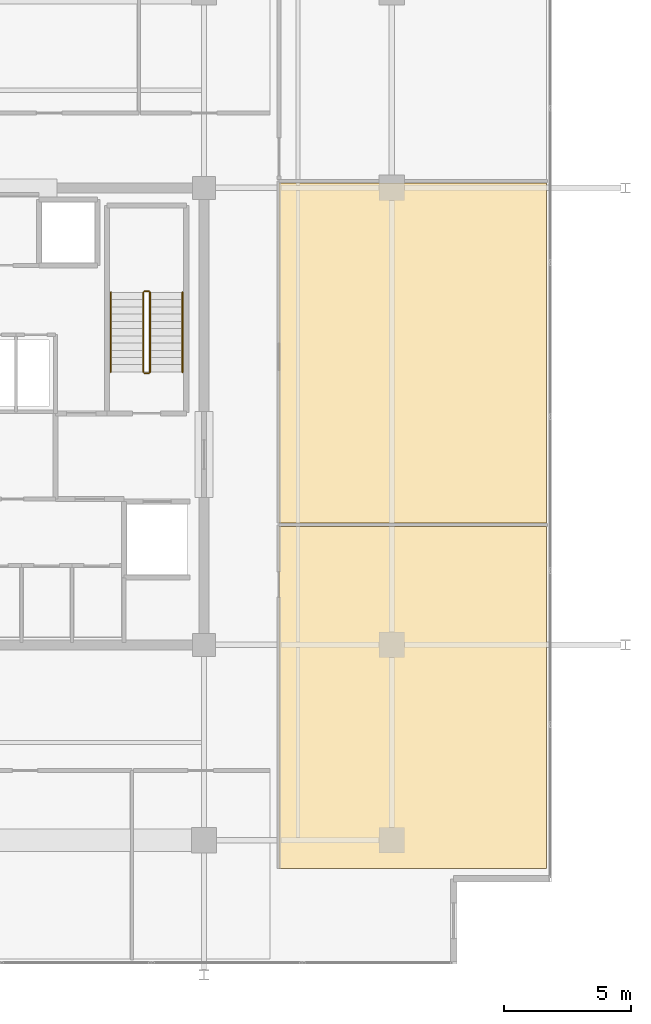
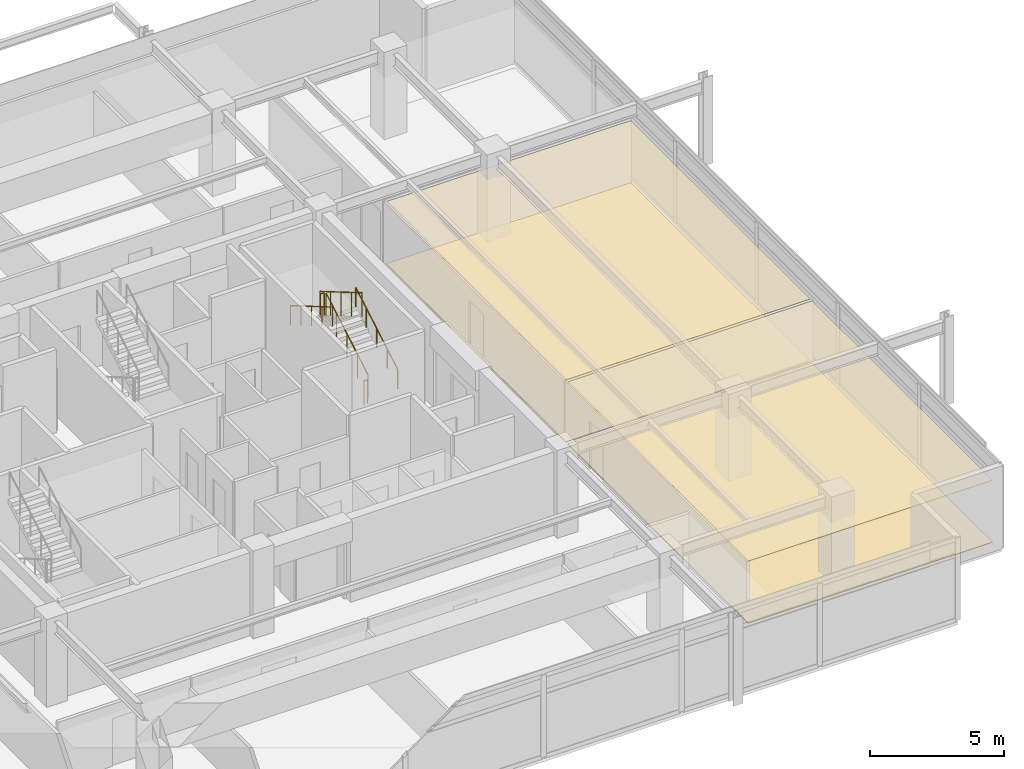
# One storey, part 19 of 20: 6 railings, 4 coverings.
"""IFC4 building model written with IfcOpenShell, lengths in metres."""

from ifc_helpers import new_model, si_unit, direction, frame, origin, origin_2d, place, context, subcontext, project, spatial, polyline, circle, outline, extrude, material, layer, layer_set, type_object, element, save


model = new_model("IFC4")

# Units and contexts
model_context = context("Model", 3, precision=1e-05, world=origin(), true_north=direction((0.0, 1.0)))
body_context = subcontext(model_context, "Body", "Model", "MODEL_VIEW")
ifc_project = project(units=[si_unit("LENGTHUNIT", "METRE"), si_unit("AREAUNIT", "SQUARE_METRE"), si_unit("VOLUMEUNIT", "CUBIC_METRE"), si_unit("PLANEANGLEUNIT", "RADIAN"), si_unit("MASSUNIT", "GRAM", prefix="KILO")], contexts=[model_context])

# Site, building, storey
site_placement = place(None, origin())
site = spatial("IfcSite", under=ifc_project, at=site_placement, CompositionType="ELEMENT")
building_placement = place(site_placement, origin())
building = spatial("IfcBuilding", under=site, at=building_placement, Name="Kovane Verandah Tower", CompositionType="ELEMENT")
storey_placement = place(building_placement, frame((0.0, 0.0, 330.800048828125)))
storey = spatial("IfcBuildingStorey", under=building, at=storey_placement, Name="L77", CompositionType="ELEMENT", Elevation=330.800048828125)

# Coverings
ifc_material_1 = material(Name="Perforated Acoustic Mineral-Fibre Ceiling Tile", Category="gypsum")
ifc_layer_1 = layer(ifc_material_1, 0.02490234375)
ifc_layer_set_1 = layer_set([ifc_layer_1], Name="Perforated Acoustic Mineral-Fibre Ceiling Tile")
covering_type_1 = type_object("IfcCoveringType", Name="CV-CEIL-25", PredefinedType="CEILING", material=ifc_layer_set_1)
covering_1_placement = place(storey_placement, frame((0.0, 0.0, 2.824951171875)))
element("IfcCovering", 1, at=covering_1_placement, inside=storey, type_object=covering_type_1, Name="L77 Open Plan Office E1 Acoustic Ceiling", PredefinedType="CEILING", context=body_context, shape_type="SweptSolid", body=[
    extrude(outline(polyline([(53.949951171875, 9.681884765625), (64.486328125, 9.681884765625), (64.486328125, 23.153564453125), (53.949951171875, 23.153564453125), (53.949951171875, 9.681884765625)])), origin(), (0.0, 0.0, 1.0), 0.02490234375),
])
covering_2_placement = place(storey_placement, frame((0.0, 0.0, 2.824951171875)))
element("IfcCovering", 2, at=covering_2_placement, inside=storey, type_object=covering_type_1, Name="L77 Executive Office E2 Acoustic Ceiling", PredefinedType="CEILING", context=body_context, shape_type="SweptSolid", body=[
    extrude(outline(polyline([(53.949951171875, 23.293701171875), (64.486328125, 23.293701171875), (64.486328125, 36.695556640625), (53.949951171875, 36.695556640625), (53.949951171875, 23.293701171875)])), origin(), (0.0, 0.0, 1.0), 0.02490234375),
])
ifc_material_2 = material(Name="Polished Terrazzo and Raised-Access Carpet Tile Finish", Category="concrete")
ifc_layer_2 = layer(ifc_material_2, 0.030029296875)
ifc_layer_set_2 = layer_set([ifc_layer_2], Name="Polished Terrazzo and Raised-Access Carpet Tile Finish")
covering_type_2 = type_object("IfcCoveringType", Name="CV-FLOR-30", PredefinedType="FLOORING", material=ifc_layer_set_2)
covering_3_placement = place(storey_placement, origin())
element("IfcCovering", 3, at=covering_3_placement, inside=storey, type_object=covering_type_2, Name="L77 Open Plan Office E1 Floor Finish", PredefinedType="FLOORING", context=body_context, shape_type="SweptSolid", body=[
    extrude(outline(polyline([(53.949951171875, 9.681884765625), (64.486328125, 9.681884765625), (64.486328125, 23.153564453125), (53.949951171875, 23.153564453125), (53.949951171875, 9.681884765625)])), origin(), (0.0, 0.0, 1.0), 0.030029296875),
])
covering_4_placement = place(storey_placement, origin())
element("IfcCovering", 4, at=covering_4_placement, inside=storey, type_object=covering_type_2, Name="L77 Executive Office E2 Floor Finish", PredefinedType="FLOORING", context=body_context, shape_type="SweptSolid", body=[
    extrude(outline(polyline([(53.949951171875, 23.293701171875), (64.486328125, 23.293701171875), (64.486328125, 36.695556640625), (53.949951171875, 36.695556640625), (53.949951171875, 23.293701171875)])), origin(), (0.0, 0.0, 1.0), 0.030029296875),
])

# Railings
ifc_material_3 = material(Name="Brushed Stainless Steel Handrail", Category="steel")
railing_type_1 = type_object("IfcRailingType", Name="RL-HAND-920", PredefinedType="HANDRAIL", material=ifc_material_3)
railing_1_placement = place(storey_placement, frame((50.14990234375, 29.25, 0.16650390625)))
element("IfcRailing", 5, at=railing_1_placement, inside=storey, type_object=railing_type_1, Name="L77 ST-02 stair handrail 1", PredefinedType="HANDRAIL", context=body_context, shape_type="SweptSolid", body=[
    extrude(circle(Radius=0.02392578125, at=origin_2d()), frame((0.0, 0.0, 0.8759765625), z_axis=(0.0, 0.863210265497, 0.504844567704), x_axis=(-1.0, 0.0, 0.0)), (0.0, 0.0, 1.0), 3.6318359375),
    extrude(circle(Radius=0.02099609375, at=origin_2d()), origin(), (0.0, 0.0, 1.0), 0.851806640625),
    extrude(circle(Radius=0.02099609375, at=origin_2d()), frame((0.0, 0.78369140625, 0.45849609375)), (0.0, 0.0, 1.0), 0.851806640625),
    extrude(circle(Radius=0.02099609375, at=origin_2d()), frame((0.0, 1.5673828125, 0.916748046875)), (0.0, 0.0, 1.0), 0.851806640625),
    extrude(circle(Radius=0.02099609375, at=origin_2d()), frame((0.0, 2.351318359375, 1.375)), (0.0, 0.0, 1.0), 0.851806640625),
    extrude(circle(Radius=0.02099609375, at=origin_2d()), frame((0.0, 3.135009765625, 1.83349609375)), (0.0, 0.0, 1.0), 0.851806640625),
])
railing_2_placement = place(storey_placement, frame((47.330078125, 32.385009765625, 2.16650390625)))
element("IfcRailing", 6, at=railing_2_placement, inside=storey, type_object=railing_type_1, Name="L77 ST-02 stair handrail 2", PredefinedType="HANDRAIL", context=body_context, shape_type="SweptSolid", body=[
    extrude(circle(Radius=0.02392578125, at=origin_2d()), frame((0.0, 0.0, 0.8759765625), z_axis=(0.0, -0.863210265497, 0.504844567704), x_axis=(1.0, 0.0, 0.0)), (0.0, 0.0, 1.0), 3.6318359375),
    extrude(circle(Radius=0.02099609375, at=origin_2d()), origin(), (0.0, 0.0, 1.0), 0.851806640625),
    extrude(circle(Radius=0.02099609375, at=origin_2d()), frame((0.0, -0.78369140625, 0.45849609375)), (0.0, 0.0, 1.0), 0.851806640625),
    extrude(circle(Radius=0.02099609375, at=origin_2d()), frame((0.0, -1.5673828125, 0.916748046875)), (0.0, 0.0, 1.0), 0.851806640625),
    extrude(circle(Radius=0.02099609375, at=origin_2d()), frame((0.0, -2.351318359375, 1.375)), (0.0, 0.0, 1.0), 0.851806640625),
    extrude(circle(Radius=0.02099609375, at=origin_2d()), frame((0.0, -3.135009765625, 1.83349609375)), (0.0, 0.0, 1.0), 0.851806640625),
])
ifc_material_4 = material(Name="Painted Steel Stairwell Guardrail", Category="steel")
railing_type_2 = type_object("IfcRailingType", Name="RL-STGUARD-1120", PredefinedType="GUARDRAIL", material=ifc_material_4)
railing_3_placement = place(storey_placement, frame((48.8701171875, 29.25, 0.16650390625)))
element("IfcRailing", 7, at=railing_3_placement, inside=storey, type_object=railing_type_2, Name="L77 ST-02 stair guard 1", PredefinedType="GUARDRAIL", context=body_context, shape_type="SweptSolid", body=[
    extrude(circle(Radius=0.02392578125, at=origin_2d()), frame((0.0, 0.0, 1.076171875), z_axis=(0.0, 0.863210265497, 0.504844567704), x_axis=(-1.0, 0.0, 0.0)), (0.0, 0.0, 1.0), 3.6318359375),
    extrude(circle(Radius=0.02099609375, at=origin_2d()), origin(), (0.0, 0.0, 1.0), 1.052001953125),
    extrude(circle(Radius=0.02099609375, at=origin_2d()), frame((0.0, 0.78369140625, 0.45849609375)), (0.0, 0.0, 1.0), 1.052001953125),
    extrude(circle(Radius=0.02099609375, at=origin_2d()), frame((0.0, 1.5673828125, 0.916748046875)), (0.0, 0.0, 1.0), 1.052001953125),
    extrude(circle(Radius=0.02099609375, at=origin_2d()), frame((0.0, 2.351318359375, 1.375)), (0.0, 0.0, 1.0), 1.052001953125),
    extrude(circle(Radius=0.02099609375, at=origin_2d()), frame((0.0, 3.135009765625, 1.83349609375)), (0.0, 0.0, 1.0), 1.052001953125),
])
railing_4_placement = place(storey_placement, frame((48.820068359375, 32.43505859375, 2.0)))
element("IfcRailing", 8, at=railing_4_placement, inside=storey, type_object=railing_type_2, Name="L77 ST-02 stair guard 2", PredefinedType="GUARDRAIL", context=body_context, shape_type="SweptSolid", body=[
    extrude(circle(Radius=0.02392578125, at=origin_2d()), frame((0.0, 0.0, 1.076171875), z_axis=(-1.0, 0.0, 0.0), x_axis=(0.0, -1.0, 0.0)), (0.0, 0.0, 1.0), 0.16015625),
    extrude(circle(Radius=0.02099609375, at=origin_2d()), origin(), (0.0, 0.0, 1.0), 1.052001953125),
    extrude(circle(Radius=0.02099609375, at=origin_2d()), frame((-0.16015625, 0.0, 0.0)), (0.0, 0.0, 1.0), 1.052001953125),
])
railing_5_placement = place(storey_placement, frame((48.610107421875, 32.385009765625, 2.16650390625)))
element("IfcRailing", 9, at=railing_5_placement, inside=storey, type_object=railing_type_2, Name="L77 ST-02 stair guard 3", PredefinedType="GUARDRAIL", context=body_context, shape_type="SweptSolid", body=[
    extrude(circle(Radius=0.02392578125, at=origin_2d()), frame((0.0, 0.0, 1.076171875), z_axis=(0.0, -0.863210265497, 0.504844567704), x_axis=(1.0, 0.0, 0.0)), (0.0, 0.0, 1.0), 3.6318359375),
    extrude(circle(Radius=0.02099609375, at=origin_2d()), origin(), (0.0, 0.0, 1.0), 1.052001953125),
    extrude(circle(Radius=0.02099609375, at=origin_2d()), frame((0.0, -0.78369140625, 0.45849609375)), (0.0, 0.0, 1.0), 1.052001953125),
    extrude(circle(Radius=0.02099609375, at=origin_2d()), frame((0.0, -1.5673828125, 0.916748046875)), (0.0, 0.0, 1.0), 1.052001953125),
    extrude(circle(Radius=0.02099609375, at=origin_2d()), frame((0.0, -2.351318359375, 1.375)), (0.0, 0.0, 1.0), 1.052001953125),
    extrude(circle(Radius=0.02099609375, at=origin_2d()), frame((0.0, -3.135009765625, 1.83349609375)), (0.0, 0.0, 1.0), 1.052001953125),
])
railing_6_placement = place(storey_placement, frame((48.820068359375, 29.199951171875, 0.0)))
element("IfcRailing", 10, at=railing_6_placement, inside=storey, type_object=railing_type_2, Name="L77 ST-02 stair guard 4", PredefinedType="GUARDRAIL", context=body_context, shape_type="SweptSolid", body=[
    extrude(circle(Radius=0.02392578125, at=origin_2d()), frame((0.0, 0.0, 1.076171875), z_axis=(-1.0, 0.0, 0.0), x_axis=(0.0, -1.0, 0.0)), (0.0, 0.0, 1.0), 0.16015625),
    extrude(circle(Radius=0.02099609375, at=origin_2d()), origin(), (0.0, 0.0, 1.0), 1.052001953125),
    extrude(circle(Radius=0.02099609375, at=origin_2d()), frame((-0.16015625, 0.0, 0.0)), (0.0, 0.0, 1.0), 1.052001953125),
])

save(model, "model.ifc")
